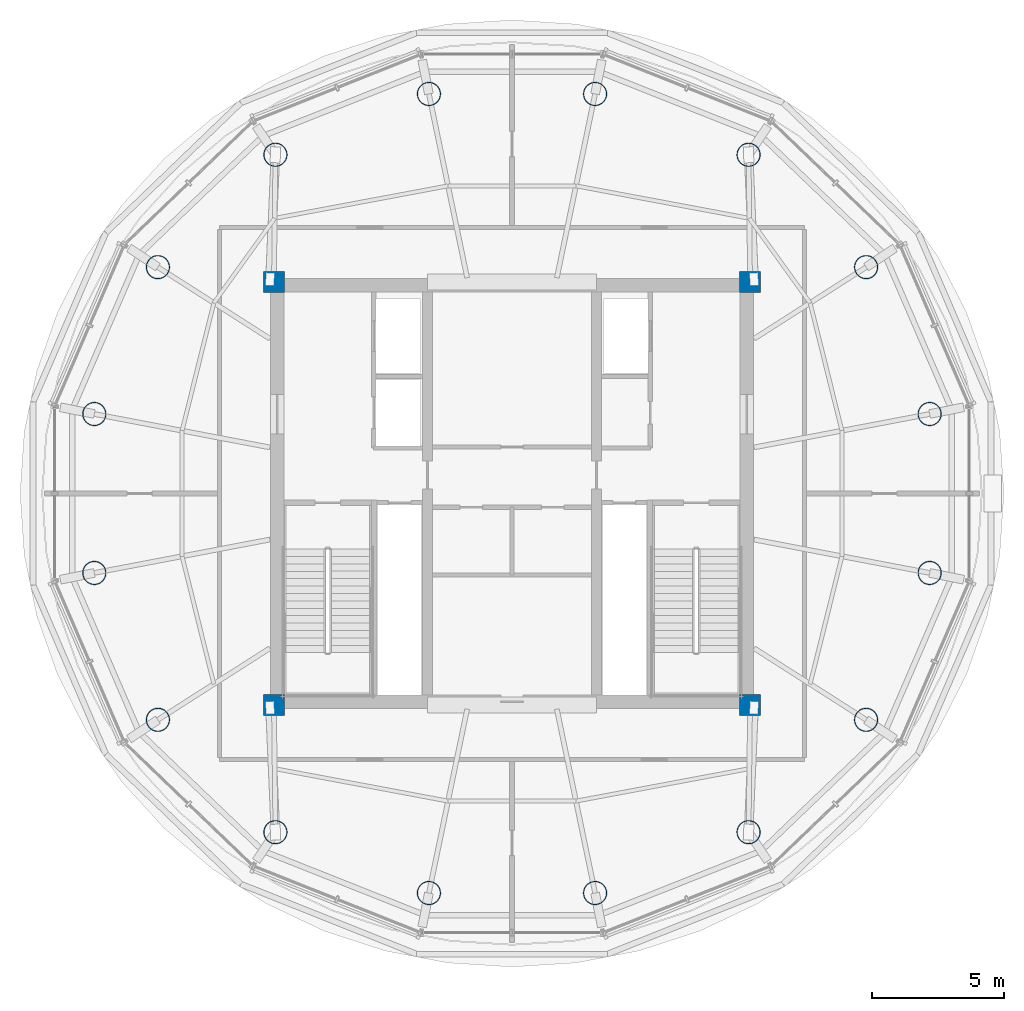
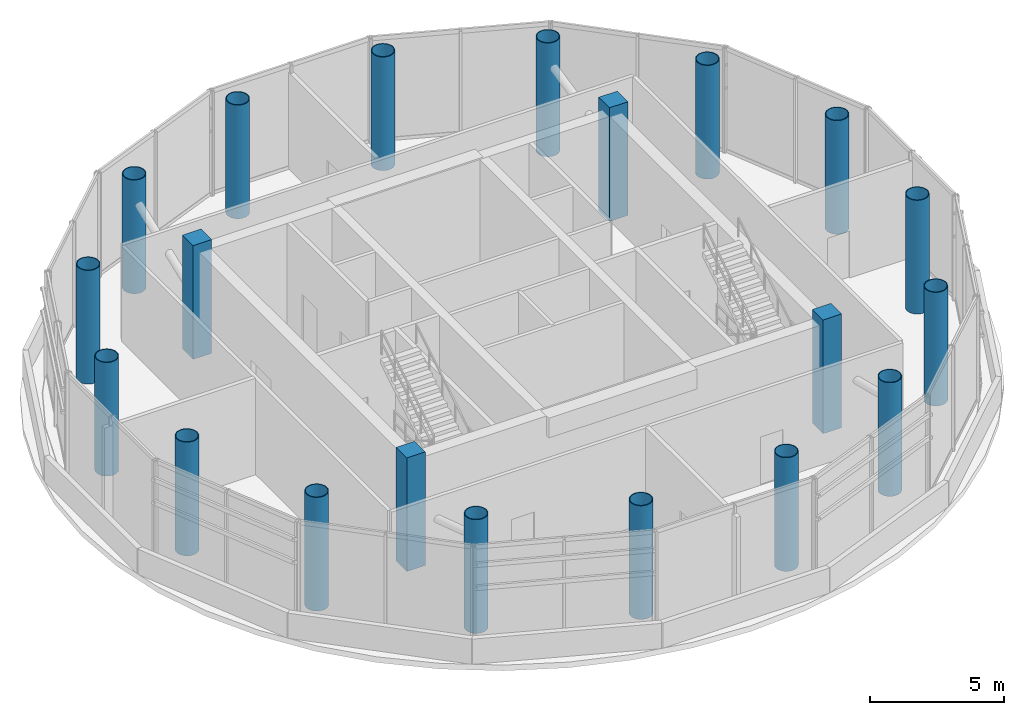
# One storey, part 1 of 15: 20 columns.
"""IFC4 building model written with IfcOpenShell, lengths in metres."""

from ifc_helpers import new_model, si_unit, direction, frame, origin, origin_2d, place, context, subcontext, project, spatial, rectangle, hollow_circle, extrude, material, material_profile, profile_set, type_object, element, save


model = new_model("IFC4")

# Units and contexts
model_context = context("Model", 3, precision=1e-05, world=origin(), true_north=direction((-0.2419218956, 0.970295726276)))
body_context = subcontext(model_context, "Body", "Model", "MODEL_VIEW")
ifc_project = project(units=[si_unit("LENGTHUNIT", "METRE"), si_unit("AREAUNIT", "SQUARE_METRE"), si_unit("VOLUMEUNIT", "CUBIC_METRE"), si_unit("PLANEANGLEUNIT", "RADIAN"), si_unit("MASSUNIT", "GRAM", prefix="KILO")], contexts=[model_context])

# Site, building, storey
site_placement = place(None, origin())
site = spatial("IfcSite", under=ifc_project, at=site_placement, CompositionType="ELEMENT")
building_placement = place(site_placement, origin())
building = spatial("IfcBuilding", under=site, at=building_placement, Name="Cobrevalo Terracotta Tower", CompositionType="ELEMENT")
storey_placement = place(building_placement, frame((0.0, 0.0, 306.10009765625)))
storey = spatial("IfcBuildingStorey", under=building, at=storey_placement, Name="L80", CompositionType="ELEMENT", Elevation=306.10009765625)

# Columns
ifc_material_1 = material(Name="Steel S355", Category="steel")
ifc_material_profile_1 = material_profile(ifc_material_1, hollow_circle(Radius=0.449951171875, WallThickness=0.031982421875, at=origin_2d()), Name="CHS 900x32")
ifc_profile_set_1 = profile_set([ifc_material_profile_1], Name="Steel S355")
column_type_1 = type_object("IfcColumnType", Name="Structural Column CHS 900x32 (Steel S355)", PredefinedType="COLUMN", material=ifc_profile_set_1)
for number, where, z_axis, x_axis, name in (
    (1, (53.79052734375, 29.804443359375, 0.0), (0.0, 0.0, 1.0), (1.0, 0.0, 0.0), "L80 composite megacolumn MC01"),
    (2, (51.38671875, 35.355712890625, 0.0), (0.0, 0.0, 1.0), (1.0, 0.0, 0.0), "L80 composite megacolumn MC02"),
    (3, (46.944580078125, 39.604736328125, 0.0), (0.0, 0.0, 1.0), (1.0, 0.0, 0.0), "L80 composite megacolumn MC03"),
    (4, (41.140869140625, 41.904052734375, 0.0), (0.0, 0.0, 1.0), (1.0, 0.0, 0.0), "L80 composite megacolumn MC04"),
    (5, (34.859130859375, 41.904052734375, 0.0), (0.0, 0.0, 1.0), (1.0, 0.0, 0.0), "L80 composite megacolumn MC05"),
    (6, (29.055419921875, 39.604736328125, 0.0), (0.0, 0.0, 1.0), (1.0, 0.0, 0.0), "L80 composite megacolumn MC06"),
    (7, (24.61328125, 35.355712890625, 0.0), (0.0, 0.0, 1.0), (1.0, 0.0, 0.0), "L80 composite megacolumn MC07"),
    (8, (22.20947265625, 29.804443359375, 0.0), (0.0, 0.0, 1.0), (1.0, 0.0, 0.0), "L80 composite megacolumn MC08"),
    (9, (22.20947265625, 23.795654296875, 0.0), (0.0, 0.0, 1.0), (1.0, 0.0, 0.0), "L80 composite megacolumn MC09"),
    (10, (24.61328125, 18.244140625, 0.0), (0.0, 0.0, 1.0), (1.0, 0.0, 0.0), "L80 composite megacolumn MC10"),
    (11, (29.055419921875, 13.995361328125, 0.0), (0.0, 0.0, 1.0), (1.0, 0.0, 0.0), "L80 composite megacolumn MC11"),
    (12, (34.859130859375, 11.69580078125, 0.0), (0.0, 0.0, 1.0), (1.0, 0.0, 0.0), "L80 composite megacolumn MC12"),
    (13, (41.140869140625, 11.69580078125, 0.0), (0.0, 0.0, 1.0), (1.0, 0.0, 0.0), "L80 composite megacolumn MC13"),
    (14, (46.944580078125, 13.995361328125, 0.0), (0.0, 0.0, 1.0), (1.0, 0.0, 0.0), "L80 composite megacolumn MC14"),
    (15, (51.38671875, 18.244140625, 0.0), (0.0, 0.0, 1.0), (1.0, 0.0, 0.0), "L80 composite megacolumn MC15"),
    (16, (53.79052734375, 23.795654296875, 0.0), (0.0, 0.0, 1.0), (1.0, 0.0, 0.0), "L80 composite megacolumn MC16"),
):
    element("IfcColumn", number, at=place(storey_placement, frame(where, z_axis=z_axis, x_axis=x_axis)), inside=storey, type_object=column_type_1, Name=name, PredefinedType="COLUMN", context=body_context, shape_type="SweptSolid", body=[
        extrude(hollow_circle(Radius=0.449951171875, WallThickness=0.031982421875, at=origin_2d()), origin(), (0.0, 0.0, 1.0), 5.199951171875),
    ])
ifc_material_2 = material(Name="Concrete C50", Category="concrete")
ifc_material_profile_2 = material_profile(ifc_material_2, rectangle(XDim=0.800048828125, YDim=0.800048828125, at=origin_2d()), Name="RC COL 800x800")
ifc_profile_set_2 = profile_set([ifc_material_profile_2], Name="Concrete C50")
column_type_2 = type_object("IfcColumnType", Name="Structural Column RC COL 800x800 (Concrete C50)", PredefinedType="COLUMN", material=ifc_profile_set_2)
for number, where, z_axis, x_axis, name in (
    (17, (29.0, 18.800048828125, 0.0), (0.0, 0.0, 1.0), (1.0, 0.0, 0.0), "L80 core corner column CC1"),
    (18, (47.0, 18.800048828125, 0.0), (0.0, 0.0, 1.0), (1.0, 0.0, 0.0), "L80 core corner column CC2"),
    (19, (47.0, 34.800048828125, 0.0), (0.0, 0.0, 1.0), (1.0, 0.0, 0.0), "L80 core corner column CC3"),
    (20, (29.0, 34.800048828125, 0.0), (0.0, 0.0, 1.0), (1.0, 0.0, 0.0), "L80 core corner column CC4"),
):
    element("IfcColumn", number, at=place(storey_placement, frame(where, z_axis=z_axis, x_axis=x_axis)), inside=storey, type_object=column_type_2, Name=name, PredefinedType="COLUMN", context=body_context, shape_type="SweptSolid", body=[
        extrude(rectangle(XDim=0.800048828125, YDim=0.800048828125, at=origin_2d()), origin(), (0.0, 0.0, 1.0), 5.199951171875),
    ])

save(model, "model.ifc")
